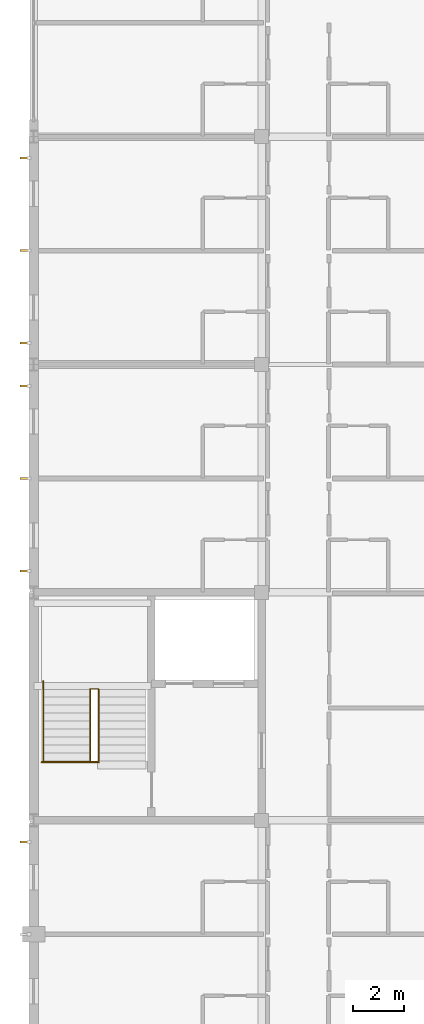
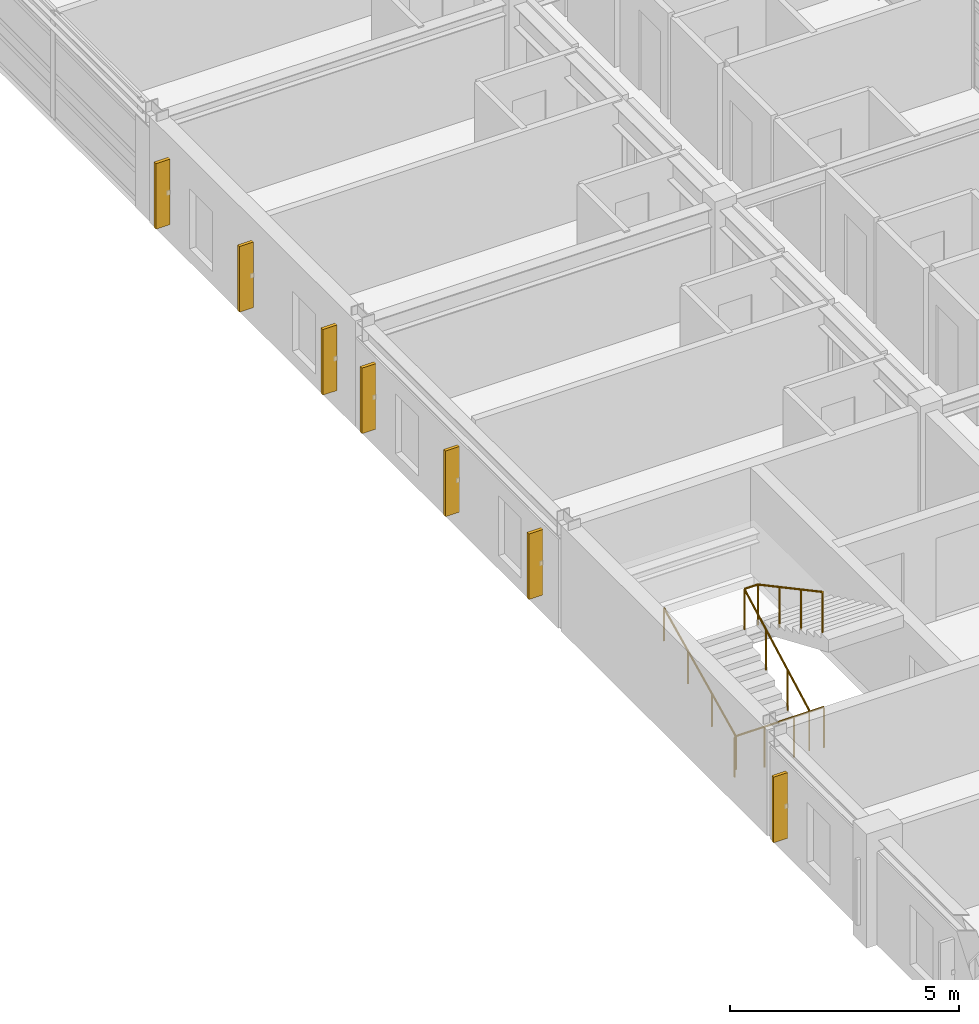
# One storey, part 36 of 37: 7 shading devices, 3 railings.
"""IFC4 building model written with IfcOpenShell, lengths in metres."""

from ifc_helpers import new_model, si_unit, direction, frame, origin, origin_2d, place, context, subcontext, project, spatial, rectangle, circle, extrude, material, type_object, element, save


model = new_model("IFC4")

# Units and contexts
model_context = context("Model", 3, precision=1e-05, world=origin(), true_north=direction((0.0, 1.0)))
body_context = subcontext(model_context, "Body", "Model", "MODEL_VIEW")
ifc_project = project(units=[si_unit("LENGTHUNIT", "METRE"), si_unit("AREAUNIT", "SQUARE_METRE"), si_unit("VOLUMEUNIT", "CUBIC_METRE"), si_unit("PLANEANGLEUNIT", "RADIAN"), si_unit("MASSUNIT", "GRAM", prefix="KILO")], contexts=[model_context])

# Site, building, storey
site_placement = place(None, origin())
site = spatial("IfcSite", under=ifc_project, at=site_placement, CompositionType="ELEMENT")
building_placement = place(site_placement, origin())
building = spatial("IfcBuilding", under=site, at=building_placement, Name="Palais des Congres Ocreval", CompositionType="ELEMENT")
storey_placement = place(building_placement, frame((0.0, 0.0, 11.52001953125)))
storey = spatial("IfcBuildingStorey", under=building, at=storey_placement, Name="L03", CompositionType="ELEMENT", Elevation=11.52001953125)

# Railings
ifc_material_1 = material(Name="Anodized bronze aluminium", Category="aluminium")
railing_type_1 = type_object("IfcRailingType", Name="Bronze Stair and Ramp Handrail 900", PredefinedType="HANDRAIL", material=ifc_material_1)
railing_1_placement = place(storey_placement, frame((0.3798828125, 38.35009765625, 0.152099609375)))
element("IfcRailing", 1, at=railing_1_placement, inside=storey, type_object=railing_type_1, Name="Stair Wall Handrail ST03 L03", PredefinedType="HANDRAIL", context=body_context, shape_type="SweptSolid", body=[
    extrude(circle(Radius=0.02392578125, at=origin_2d()), frame((0.0, 0.0, 0.8759765625), z_axis=(0.0, 0.900648683885, 0.43454798149), x_axis=(-1.0, 0.0, 0.0)), (0.0, 0.0, 1.0), 3.497314453125),
    extrude(circle(Radius=0.02099609375, at=origin_2d()), origin(), (0.0, 0.0, 1.0), 0.851806640625),
    extrude(circle(Radius=0.02099609375, at=origin_2d()), frame((0.0, 1.050048828125, 0.506591796875)), (0.0, 0.0, 1.0), 0.851806640625),
    extrude(circle(Radius=0.02099609375, at=origin_2d()), frame((0.0, 2.099853515625, 1.01318359375)), (0.0, 0.0, 1.0), 0.851806640625),
    extrude(circle(Radius=0.02099609375, at=origin_2d()), frame((0.0, 3.14990234375, 1.519775390625)), (0.0, 0.0, 1.0), 0.851806640625),
])
ifc_material_2 = material(Name="Steel S355", Category="steel")
railing_type_2 = type_object("IfcRailingType", Name="Stairwell Steel Guardrail 1100", PredefinedType="GUARDRAIL", material=ifc_material_2)
railing_2_placement = place(storey_placement, frame((0.320068359375, 38.300048828125, 0.0)))
element("IfcRailing", 2, at=railing_2_placement, inside=storey, type_object=railing_type_2, Name="Stairwell Landing Edge Guard ST03 L03", PredefinedType="GUARDRAIL", context=body_context, shape_type="SweptSolid", body=[
    extrude(circle(Radius=0.02392578125, at=origin_2d()), frame((0.0, 0.0, 1.076171875), z_axis=(1.0, 0.0, 0.0), x_axis=(0.0, 1.0, 0.0)), (0.0, 0.0, 1.0), 2.25),
    extrude(circle(Radius=0.02099609375, at=origin_2d()), origin(), (0.0, 0.0, 1.0), 1.052001953125),
    extrude(circle(Radius=0.02099609375, at=origin_2d()), frame((0.75, 0.0, 0.0)), (0.0, 0.0, 1.0), 1.052001953125),
    extrude(circle(Radius=0.02099609375, at=origin_2d()), frame((1.5, 0.0, 0.0)), (0.0, 0.0, 1.0), 1.052001953125),
    extrude(circle(Radius=0.02099609375, at=origin_2d()), frame((2.25, 0.0, 0.0)), (0.0, 0.0, 1.0), 1.052001953125),
])
railing_3_placement = place(storey_placement, frame((2.22998046875, 38.35009765625, 0.0)))
element("IfcRailing", 3, at=railing_3_placement, inside=storey, type_object=railing_type_2, Name="Stair Inner Guardrail ST03 L03", PredefinedType="GUARDRAIL", context=body_context, shape_type="SweptSolid", body=[
    extrude(circle(Radius=0.02392578125, at=origin_2d()), frame((0.0, 0.0, 1.076171875), z_axis=(0.0, 0.881312927046, 0.472533093678), x_axis=(-1.0, 0.0, 0.0)), (0.0, 0.0, 1.0), 3.216796875),
    extrude(circle(Radius=0.02392578125, at=origin_2d()), frame((0.0, 2.8349609375, 2.59619140625), z_axis=(1.0, 0.0, 0.0), x_axis=(0.0, 1.0, 0.0)), (0.0, 0.0, 1.0), 0.340087890625),
    extrude(circle(Radius=0.02392578125, at=origin_2d()), frame((0.340087890625, 2.8349609375, 2.59619140625), z_axis=(0.0, -0.881312927046, 0.472533093678), x_axis=(1.0, 0.0, 0.0)), (0.0, 0.0, 1.0), 3.216796875),
    extrude(circle(Radius=0.02099609375, at=origin_2d()), origin(), (0.0, 0.0, 1.0), 1.052001953125),
    extrude(circle(Radius=0.02099609375, at=origin_2d()), frame((0.0, 0.945068359375, 0.506591796875)), (0.0, 0.0, 1.0), 1.052001953125),
    extrude(circle(Radius=0.02099609375, at=origin_2d()), frame((0.0, 1.889892578125, 1.013427734375)), (0.0, 0.0, 1.0), 1.052001953125),
    extrude(circle(Radius=0.02099609375, at=origin_2d()), frame((0.0, 2.8349609375, 1.52001953125)), (0.0, 0.0, 1.0), 1.052001953125),
    extrude(circle(Radius=0.02099609375, at=origin_2d()), frame((0.340087890625, 2.8349609375, 1.52001953125)), (0.0, 0.0, 1.0), 1.052001953125),
    extrude(circle(Radius=0.02099609375, at=origin_2d()), frame((0.340087890625, 1.889892578125, 2.026611328125)), (0.0, 0.0, 1.0), 1.052001953125),
    extrude(circle(Radius=0.02099609375, at=origin_2d()), frame((0.340087890625, 0.945068359375, 2.533447265625)), (0.0, 0.0, 1.0), 1.052001953125),
    extrude(circle(Radius=0.02099609375, at=origin_2d()), frame((0.340087890625, 0.0, 3.0400390625)), (0.0, 0.0, 1.0), 1.052001953125),
])

# Shading devices
ifc_material_3 = material(Name="Terracotta ceramic", Category="masonry")
shading_device_type = type_object("IfcShadingDeviceType", Name="Terracotta Ceramic Brise-Soleil Fin 360", PredefinedType="JALOUSIE", material=ifc_material_3)
for number, where, z_axis, x_axis, name in (
    (4, (-0.360107421875, 35.14990234375, 0.47509765625), (0.0, 0.0, 1.0), (-1.0, 0.0, 0.0), "Ceramic Celosia Sun-Fin SD01"),
    (5, (-0.360107421875, 45.85009765625, 0.47509765625), (0.0, 0.0, 1.0), (-1.0, 0.0, 0.0), "Ceramic Celosia Sun-Fin SD01"),
    (6, (-0.360107421875, 49.5, 0.47509765625), (0.0, 0.0, 1.0), (-1.0, 0.0, 0.0), "Ceramic Celosia Sun-Fin SD01"),
    (7, (-0.360107421875, 53.14990234375, 0.47509765625), (0.0, 0.0, 1.0), (-1.0, 0.0, 0.0), "Ceramic Celosia Sun-Fin SD01"),
    (8, (-0.360107421875, 54.85009765625, 0.47509765625), (0.0, 0.0, 1.0), (-1.0, 0.0, 0.0), "Ceramic Celosia Sun-Fin SD01"),
    (9, (-0.360107421875, 58.5, 0.47509765625), (0.0, 0.0, 1.0), (-1.0, 0.0, 0.0), "Ceramic Celosia Sun-Fin SD01"),
    (10, (-0.360107421875, 62.14990234375, 0.47509765625), (0.0, 0.0, 1.0), (-1.0, 0.0, 0.0), "Ceramic Celosia Sun-Fin SD01"),
):
    element("IfcShadingDevice", number, at=place(storey_placement, frame(where, z_axis=z_axis, x_axis=x_axis)), inside=storey, type_object=shading_device_type, Name=name, PredefinedType="JALOUSIE", context=body_context, shape_type="SweptSolid", body=[
        extrude(rectangle(XDim=0.360107421875, YDim=0.080078125, at=origin_2d()), origin(), (0.0, 0.0, 1.0), 1.75),
    ])

save(model, "model.ifc")
